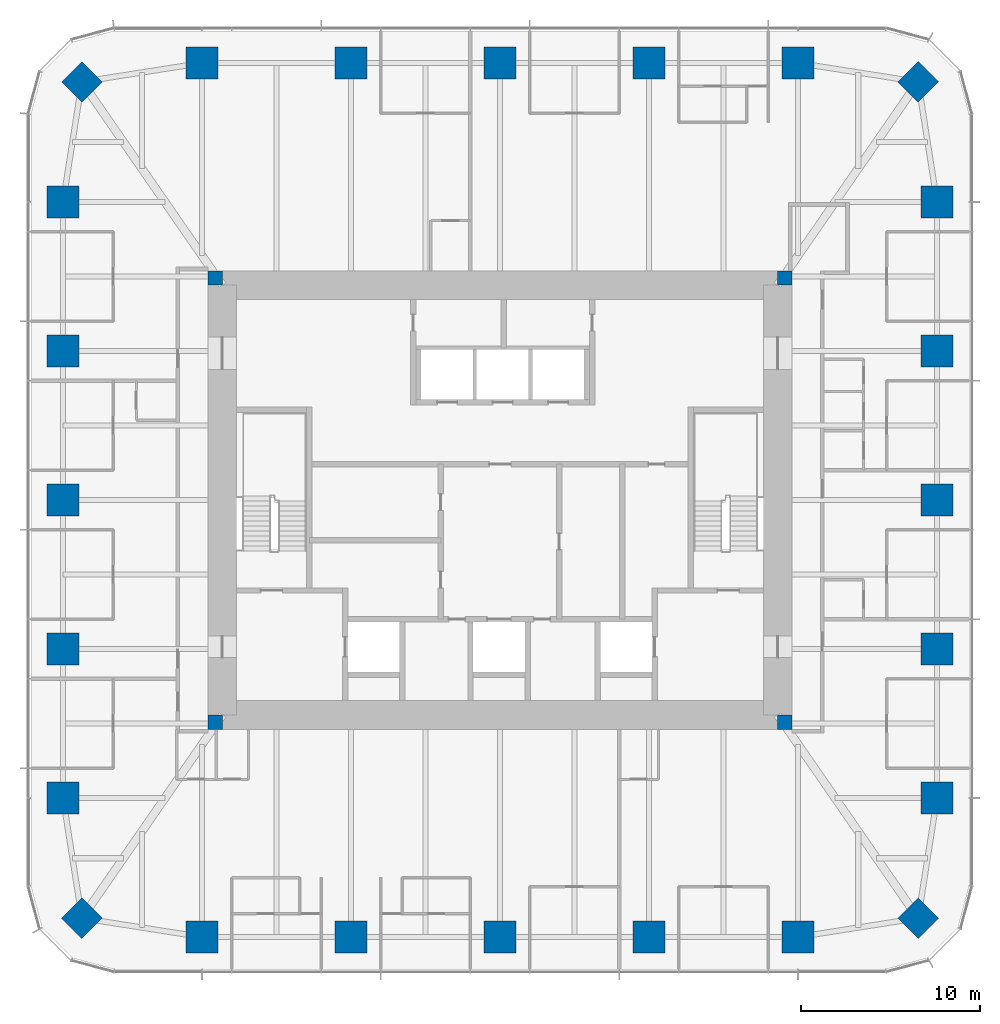
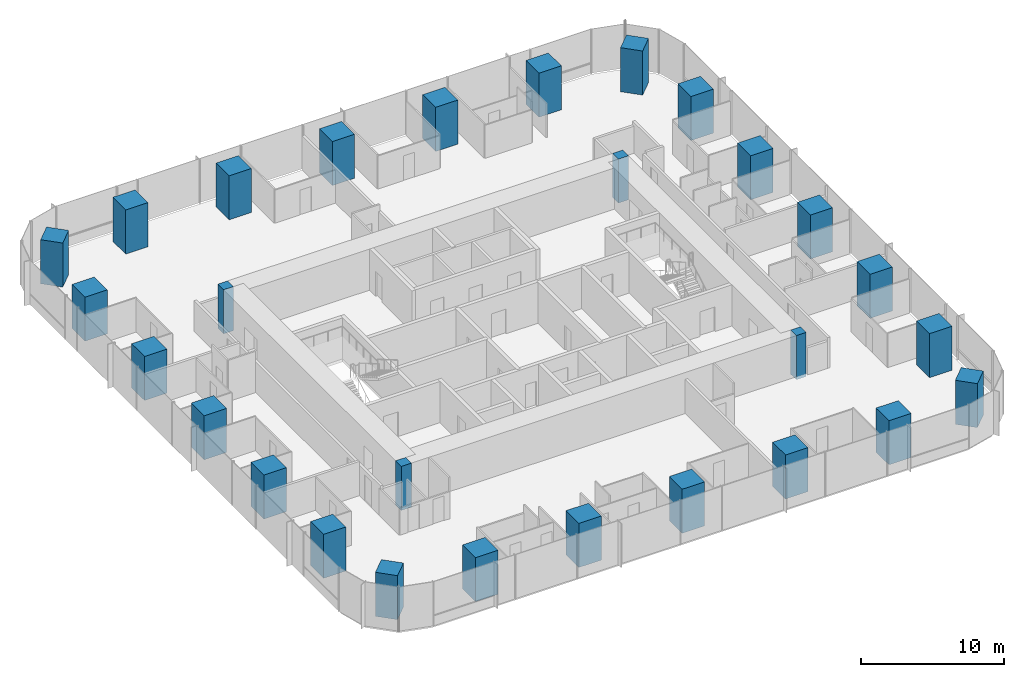
# One storey, part 1 of 12: 28 columns.
"""IFC4 building model written with IfcOpenShell, lengths in metres."""

from ifc_helpers import new_model, si_unit, direction, frame, origin, origin_2d, place, context, subcontext, project, spatial, rectangle, extrude, material, material_profile, profile_set, type_object, element, save


model = new_model("IFC4")

# Units and contexts
model_context = context("Model", 3, precision=1e-05, world=origin(), true_north=direction((0.0, 1.0)))
body_context = subcontext(model_context, "Body", "Model", "MODEL_VIEW")
ifc_project = project(units=[si_unit("LENGTHUNIT", "METRE"), si_unit("AREAUNIT", "SQUARE_METRE"), si_unit("VOLUMEUNIT", "CUBIC_METRE"), si_unit("PLANEANGLEUNIT", "RADIAN"), si_unit("MASSUNIT", "GRAM", prefix="KILO")], contexts=[model_context])

# Site, building, storey
site_placement = place(None, origin())
site = spatial("IfcSite", under=ifc_project, at=site_placement, CompositionType="ELEMENT")
building_placement = place(site_placement, origin())
building = spatial("IfcBuilding", under=site, at=building_placement, Name="Khuree Lantern Residences", CompositionType="ELEMENT")
storey_placement = place(building_placement, frame((0.0, 0.0, 225.75)))
storey = spatial("IfcBuildingStorey", under=building, at=storey_placement, Name="L56", CompositionType="ELEMENT", Elevation=225.75)

# Columns
ifc_material_1 = material(Name="Concrete C70/85", Category="concrete")
ifc_material_profile_1 = material_profile(ifc_material_1, rectangle(XDim=1.60009765625, YDim=1.60009765625, at=origin_2d()), Name="RC 1600X1600")
ifc_profile_set_1 = profile_set([ifc_material_profile_1], Name="Concrete C70/85")
column_type_1 = type_object("IfcColumnType", Name="CC1600A PERIMETER CORNER COLUMN RC 1600X1600", PredefinedType="COLUMN", material=ifc_profile_set_1)
for number, where, z_axis, x_axis, name in (
    (1, (23.345703125, 23.345703125, 0.0), (0.0, 0.0, 1.0), (0.707106781187, -0.707106781187, 0.0), "Perimeter column NE"),
    (2, (23.345703125, -23.345703125, 0.0), (0.0, 0.0, 1.0), (0.707106781187, 0.707106781187, 0.0), "Perimeter column SE"),
    (3, (-23.345703125, -23.345703125, 0.0), (0.0, 0.0, 1.0), (0.707106781187, -0.707106781187, 0.0), "Perimeter column SW"),
    (4, (-23.345703125, 23.345703125, 0.0), (0.0, 0.0, 1.0), (0.707106781187, 0.707106781187, 0.0), "Perimeter column NW"),
):
    element("IfcColumn", number, at=place(storey_placement, frame(where, z_axis=z_axis, x_axis=x_axis)), inside=storey, type_object=column_type_1, Name=name, PredefinedType="COLUMN", context=body_context, shape_type="SweptSolid", body=[
        extrude(rectangle(XDim=1.60009765625, YDim=1.60009765625, at=origin_2d()), origin(), (0.0, 0.0, 1.0), 3.75),
    ])
ifc_material_2 = material(Name="Concrete C50/60", Category="concrete")
ifc_material_profile_2 = material_profile(ifc_material_2, rectangle(XDim=0.800048828125, YDim=0.800048828125, at=origin_2d()), Name="RC 800X800")
ifc_profile_set_2 = profile_set([ifc_material_profile_2], Name="Concrete C50/60")
column_type_2 = type_object("IfcColumnType", Name="CP800-C50 CORE CORNER PIER C50 RC 800X800", PredefinedType="COLUMN", material=ifc_profile_set_2)
for number, where, z_axis, x_axis, name in (
    (5, (15.89990234375, 12.39990234375, -0.25), (0.0, 0.0, 1.0), (1.0, 0.0, 0.0), "Core corner pier NE"),
    (6, (-15.89990234375, 12.39990234375, -0.25), (0.0, 0.0, 1.0), (1.0, 0.0, 0.0), "Core corner pier NW"),
    (7, (-15.89990234375, -12.39990234375, -0.25), (0.0, 0.0, 1.0), (1.0, 0.0, 0.0), "Core corner pier SW"),
    (8, (15.89990234375, -12.39990234375, -0.25), (0.0, 0.0, 1.0), (1.0, 0.0, 0.0), "Core corner pier SE"),
):
    element("IfcColumn", number, at=place(storey_placement, frame(where, z_axis=z_axis, x_axis=x_axis)), inside=storey, type_object=column_type_2, Name=name, PredefinedType="COLUMN", context=body_context, shape_type="SweptSolid", body=[
        extrude(rectangle(XDim=0.800048828125, YDim=0.800048828125, at=origin_2d()), origin(), (0.0, 0.0, 1.0), 3.75),
    ])
ifc_material_profile_3 = material_profile(ifc_material_1, rectangle(XDim=1.800048828125, YDim=1.800048828125, at=origin_2d()), Name="RC 1800X1800")
ifc_profile_set_3 = profile_set([ifc_material_profile_3], Name="Concrete C70/85")
column_type_3 = type_object("IfcColumnType", Name="PC4 PERIMETER COLUMN RC 1800X1800", PredefinedType="COLUMN", material=ifc_profile_set_3)
for number, where, z_axis, x_axis, name in (
    (9, (-16.639892578125, 24.39990234375, 0.0), (0.0, 0.0, 1.0), (1.0, 0.0, 0.0), "Perimeter column N1"),
    (10, (-8.320068359375, 24.39990234375, 0.0), (0.0, 0.0, 1.0), (1.0, 0.0, 0.0), "Perimeter column N2"),
    (11, (0.0, 24.39990234375, 0.0), (0.0, 0.0, 1.0), (1.0, 0.0, 0.0), "Perimeter column N3"),
    (12, (8.320068359375, 24.39990234375, 0.0), (0.0, 0.0, 1.0), (1.0, 0.0, 0.0), "Perimeter column N4"),
    (13, (16.639892578125, 24.39990234375, 0.0), (0.0, 0.0, 1.0), (1.0, 0.0, 0.0), "Perimeter column N5"),
    (14, (24.39990234375, 16.639892578125, 0.0), (0.0, 0.0, 1.0), (0.0, 1.0, 0.0), "Perimeter column E1"),
    (15, (24.39990234375, 8.320068359375, 0.0), (0.0, 0.0, 1.0), (0.0, 1.0, 0.0), "Perimeter column E2"),
    (16, (24.39990234375, 0.0, 0.0), (0.0, 0.0, 1.0), (0.0, 1.0, 0.0), "Perimeter column E3"),
    (17, (24.39990234375, -8.320068359375, 0.0), (0.0, 0.0, 1.0), (0.0, 1.0, 0.0), "Perimeter column E4"),
    (18, (24.39990234375, -16.639892578125, 0.0), (0.0, 0.0, 1.0), (0.0, 1.0, 0.0), "Perimeter column E5"),
    (19, (16.639892578125, -24.39990234375, 0.0), (0.0, 0.0, 1.0), (1.0, 0.0, 0.0), "Perimeter column S1"),
    (20, (8.320068359375, -24.39990234375, 0.0), (0.0, 0.0, 1.0), (1.0, 0.0, 0.0), "Perimeter column S2"),
    (21, (0.0, -24.39990234375, 0.0), (0.0, 0.0, 1.0), (1.0, 0.0, 0.0), "Perimeter column S3"),
    (22, (-8.320068359375, -24.39990234375, 0.0), (0.0, 0.0, 1.0), (1.0, 0.0, 0.0), "Perimeter column S4"),
    (23, (-16.639892578125, -24.39990234375, 0.0), (0.0, 0.0, 1.0), (1.0, 0.0, 0.0), "Perimeter column S5"),
    (24, (-24.39990234375, -16.639892578125, 0.0), (0.0, 0.0, 1.0), (0.0, 1.0, 0.0), "Perimeter column W1"),
    (25, (-24.39990234375, -8.320068359375, 0.0), (0.0, 0.0, 1.0), (0.0, 1.0, 0.0), "Perimeter column W2"),
    (26, (-24.39990234375, 0.0, 0.0), (0.0, 0.0, 1.0), (0.0, 1.0, 0.0), "Perimeter column W3"),
    (27, (-24.39990234375, 8.320068359375, 0.0), (0.0, 0.0, 1.0), (0.0, 1.0, 0.0), "Perimeter column W4"),
    (28, (-24.39990234375, 16.639892578125, 0.0), (0.0, 0.0, 1.0), (0.0, 1.0, 0.0), "Perimeter column W5"),
):
    element("IfcColumn", number, at=place(storey_placement, frame(where, z_axis=z_axis, x_axis=x_axis)), inside=storey, type_object=column_type_3, Name=name, PredefinedType="COLUMN", context=body_context, shape_type="SweptSolid", body=[
        extrude(rectangle(XDim=1.800048828125, YDim=1.800048828125, at=origin_2d()), origin(), (0.0, 0.0, 1.0), 3.75),
    ])

save(model, "model.ifc")
